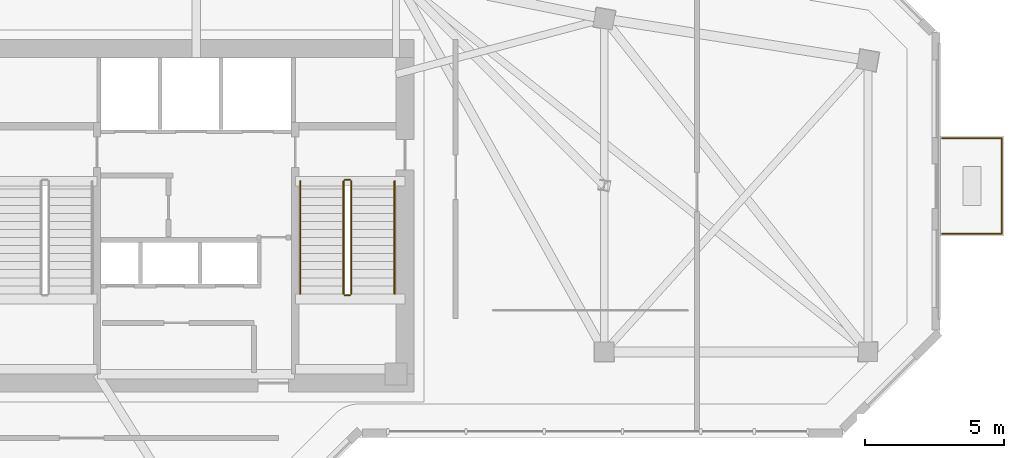
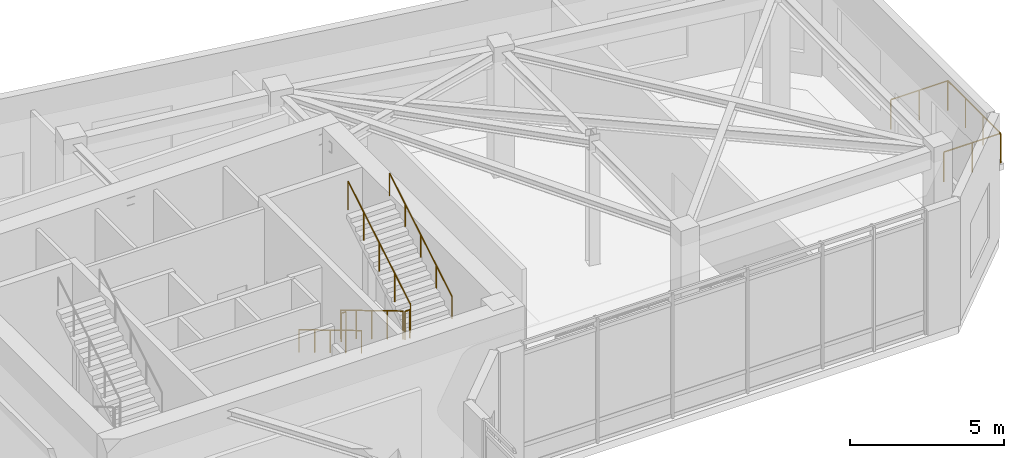
# One storey, part 10 of 10: 9 railings.
"""IFC4 building model written with IfcOpenShell, lengths in metres."""

from ifc_helpers import new_model, si_unit, direction, frame, origin, origin_2d, place, context, subcontext, project, spatial, circle, extrude, material, type_object, element, save


model = new_model("IFC4")

# Units and contexts
model_context = context("Model", 3, precision=1e-05, world=origin(), true_north=direction((0.0, 1.0)))
body_context = subcontext(model_context, "Body", "Model", "MODEL_VIEW")
ifc_project = project(units=[si_unit("LENGTHUNIT", "METRE"), si_unit("AREAUNIT", "SQUARE_METRE"), si_unit("VOLUMEUNIT", "CUBIC_METRE"), si_unit("PLANEANGLEUNIT", "RADIAN"), si_unit("MASSUNIT", "GRAM", prefix="KILO")], contexts=[model_context])

# Site, building, storey
site_placement = place(None, origin())
site = spatial("IfcSite", under=ifc_project, at=site_placement, CompositionType="ELEMENT")
building_placement = place(site_placement, origin())
building = spatial("IfcBuilding", under=site, at=building_placement, Name="Calvemar Wedge Station Tower", CompositionType="ELEMENT")
storey_placement = place(building_placement, frame((0.0, 0.0, 178.199951171875)))
storey = spatial("IfcBuildingStorey", under=building, at=storey_placement, Name="L44", CompositionType="ELEMENT", Elevation=178.199951171875)

# Railings
ifc_material_1 = material(Name="Stainless steel AISI 316L", Category="steel")
railing_type_1 = type_object("IfcRailingType", Name="GRD-TERR-1200", PredefinedType="GUARDRAIL", material=ifc_material_1)
railing_1_placement = place(storey_placement, frame((50.679931640625, 42.694091796875, 0.0)))
element("IfcRailing", 1, at=railing_1_placement, inside=storey, type_object=railing_type_1, Name="Storey L44 Spiral Terrace Guard 2", PredefinedType="GUARDRAIL", context=body_context, shape_type="SweptSolid", body=[
    extrude(circle(Radius=0.02392578125, at=origin_2d()), frame((0.0, 0.0, 1.17578125), z_axis=(1.0, 0.0, 0.0), x_axis=(0.0, 1.0, 0.0)), (0.0, 0.0, 1.0), 2.14013671875),
    extrude(circle(Radius=0.02099609375, at=origin_2d()), origin(), (0.0, 0.0, 1.0), 1.15185546875),
    extrude(circle(Radius=0.02099609375, at=origin_2d()), frame((1.070068359375, 0.0, 0.0)), (0.0, 0.0, 1.0), 1.15185546875),
    extrude(circle(Radius=0.02099609375, at=origin_2d()), frame((2.14013671875, 0.0, 0.0)), (0.0, 0.0, 1.0), 1.15185546875),
])
railing_2_placement = place(storey_placement, frame((52.820068359375, 42.694091796875, 0.0)))
element("IfcRailing", 2, at=railing_2_placement, inside=storey, type_object=railing_type_1, Name="Storey L44 Spiral Terrace Guard 3", PredefinedType="GUARDRAIL", context=body_context, shape_type="SweptSolid", body=[
    extrude(circle(Radius=0.02392578125, at=origin_2d()), frame((0.0, 0.0, 1.17578125), z_axis=(0.0, -1.0, 0.0), x_axis=(1.0, 0.0, 0.0)), (0.0, 0.0, 1.0), 3.440185546875),
    extrude(circle(Radius=0.02099609375, at=origin_2d()), origin(), (0.0, 0.0, 1.0), 1.15185546875),
    extrude(circle(Radius=0.02099609375, at=origin_2d()), frame((0.0, -1.146728515625, 0.0)), (0.0, 0.0, 1.0), 1.15185546875),
    extrude(circle(Radius=0.02099609375, at=origin_2d()), frame((0.0, -2.29345703125, 0.0)), (0.0, 0.0, 1.0), 1.15185546875),
    extrude(circle(Radius=0.02099609375, at=origin_2d()), frame((0.0, -3.440185546875, 0.0)), (0.0, 0.0, 1.0), 1.15185546875),
])
railing_3_placement = place(storey_placement, frame((52.820068359375, 39.25390625, 0.0)))
element("IfcRailing", 3, at=railing_3_placement, inside=storey, type_object=railing_type_1, Name="Storey L44 Spiral Terrace Guard 4", PredefinedType="GUARDRAIL", context=body_context, shape_type="SweptSolid", body=[
    extrude(circle(Radius=0.02392578125, at=origin_2d()), frame((0.0, 0.0, 1.17578125), z_axis=(-1.0, 0.0, 0.0), x_axis=(0.0, -1.0, 0.0)), (0.0, 0.0, 1.0), 2.14013671875),
    extrude(circle(Radius=0.02099609375, at=origin_2d()), origin(), (0.0, 0.0, 1.0), 1.15185546875),
    extrude(circle(Radius=0.02099609375, at=origin_2d()), frame((-1.070068359375, 0.0, 0.0)), (0.0, 0.0, 1.0), 1.15185546875),
    extrude(circle(Radius=0.02099609375, at=origin_2d()), frame((-2.14013671875, 0.0, 0.0)), (0.0, 0.0, 1.0), 1.15185546875),
])
railing_type_2 = type_object("IfcRailingType", Name="RL-HANDRAIL-920", PredefinedType="HANDRAIL", material=ifc_material_1)
railing_4_placement = place(storey_placement, frame((27.550048828125, 41.14990234375, 0.17333984375)))
element("IfcRailing", 4, at=railing_4_placement, inside=storey, type_object=railing_type_2, Name="L44 ST-C2 stair handrail 1", PredefinedType="HANDRAIL", context=body_context, shape_type="SweptSolid", body=[
    extrude(circle(Radius=0.02392578125, at=origin_2d()), frame((0.0, 0.0, 0.89599609375), z_axis=(0.0, -0.858343435637, 0.513075575815), x_axis=(1.0, 0.0, 0.0)), (0.0, 0.0, 1.0), 4.729736328125),
    extrude(circle(Radius=0.02099609375, at=origin_2d()), origin(), (0.0, 0.0, 1.0), 0.871826171875),
    extrude(circle(Radius=0.02099609375, at=origin_2d()), frame((0.0, -1.014892578125, 0.606689453125)), (0.0, 0.0, 1.0), 0.871826171875),
    extrude(circle(Radius=0.02099609375, at=origin_2d()), frame((0.0, -2.02978515625, 1.21337890625)), (0.0, 0.0, 1.0), 0.871826171875),
    extrude(circle(Radius=0.02099609375, at=origin_2d()), frame((0.0, -3.044921875, 1.820068359375)), (0.0, 0.0, 1.0), 0.871826171875),
    extrude(circle(Radius=0.02099609375, at=origin_2d()), frame((0.0, -4.059814453125, 2.4267578125)), (0.0, 0.0, 1.0), 0.871826171875),
])
railing_5_placement = place(storey_placement, frame((30.949951171875, 37.090087890625, 2.7734375)))
element("IfcRailing", 5, at=railing_5_placement, inside=storey, type_object=railing_type_2, Name="L44 ST-C2 stair handrail 2", PredefinedType="HANDRAIL", context=body_context, shape_type="SweptSolid", body=[
    extrude(circle(Radius=0.02392578125, at=origin_2d()), frame((0.0, 0.0, 0.89599609375), z_axis=(0.0, 0.858366167383, 0.513037545109), x_axis=(-1.0, 0.0, 0.0)), (0.0, 0.0, 1.0), 4.729736328125),
    extrude(circle(Radius=0.02099609375, at=origin_2d()), origin(), (0.0, 0.0, 1.0), 0.871826171875),
    extrude(circle(Radius=0.02099609375, at=origin_2d()), frame((0.0, 1.014892578125, 0.606689453125)), (0.0, 0.0, 1.0), 0.871826171875),
    extrude(circle(Radius=0.02099609375, at=origin_2d()), frame((0.0, 2.02978515625, 1.21337890625)), (0.0, 0.0, 1.0), 0.871826171875),
    extrude(circle(Radius=0.02099609375, at=origin_2d()), frame((0.0, 3.044921875, 1.81982421875)), (0.0, 0.0, 1.0), 0.871826171875),
    extrude(circle(Radius=0.02099609375, at=origin_2d()), frame((0.0, 4.059814453125, 2.426513671875)), (0.0, 0.0, 1.0), 0.871826171875),
])
ifc_material_2 = material(Name="Painted steel guardrail ASTM A500 Grade C", Category="steel")
railing_type_3 = type_object("IfcRailingType", Name="RL-STAIR-GUARD-1150", PredefinedType="GUARDRAIL", material=ifc_material_2)
railing_6_placement = place(storey_placement, frame((29.110107421875, 41.14990234375, 0.17333984375)))
element("IfcRailing", 6, at=railing_6_placement, inside=storey, type_object=railing_type_3, Name="L44 ST-C2 stair guard 1", PredefinedType="GUARDRAIL", context=body_context, shape_type="SweptSolid", body=[
    extrude(circle(Radius=0.02392578125, at=origin_2d()), frame((0.0, 0.0, 1.1259765625), z_axis=(0.0, -0.858343435637, 0.513075575815), x_axis=(1.0, 0.0, 0.0)), (0.0, 0.0, 1.0), 4.729736328125),
    extrude(circle(Radius=0.02099609375, at=origin_2d()), origin(), (0.0, 0.0, 1.0), 1.101806640625),
    extrude(circle(Radius=0.02099609375, at=origin_2d()), frame((0.0, -1.014892578125, 0.606689453125)), (0.0, 0.0, 1.0), 1.101806640625),
    extrude(circle(Radius=0.02099609375, at=origin_2d()), frame((0.0, -2.02978515625, 1.21337890625)), (0.0, 0.0, 1.0), 1.101806640625),
    extrude(circle(Radius=0.02099609375, at=origin_2d()), frame((0.0, -3.044921875, 1.820068359375)), (0.0, 0.0, 1.0), 1.101806640625),
    extrude(circle(Radius=0.02099609375, at=origin_2d()), frame((0.0, -4.059814453125, 2.4267578125)), (0.0, 0.0, 1.0), 1.101806640625),
])
railing_7_placement = place(storey_placement, frame((29.159912109375, 37.0400390625, 2.60009765625)))
element("IfcRailing", 7, at=railing_7_placement, inside=storey, type_object=railing_type_3, Name="L44 ST-C2 stair guard 2", PredefinedType="GUARDRAIL", context=body_context, shape_type="SweptSolid", body=[
    extrude(circle(Radius=0.02392578125, at=origin_2d()), frame((0.0, 0.0, 1.1259765625), z_axis=(1.0, 0.0, 0.0), x_axis=(0.0, 1.0, 0.0)), (0.0, 0.0, 1.0), 0.18017578125),
    extrude(circle(Radius=0.02099609375, at=origin_2d()), origin(), (0.0, 0.0, 1.0), 1.101806640625),
    extrude(circle(Radius=0.02099609375, at=origin_2d()), frame((0.18017578125, 0.0, 0.0)), (0.0, 0.0, 1.0), 1.101806640625),
])
railing_8_placement = place(storey_placement, frame((29.389892578125, 37.090087890625, 2.7734375)))
element("IfcRailing", 8, at=railing_8_placement, inside=storey, type_object=railing_type_3, Name="L44 ST-C2 stair guard 3", PredefinedType="GUARDRAIL", context=body_context, shape_type="SweptSolid", body=[
    extrude(circle(Radius=0.02392578125, at=origin_2d()), frame((0.0, 0.0, 1.1259765625), z_axis=(0.0, 0.858366167383, 0.513037545109), x_axis=(-1.0, 0.0, 0.0)), (0.0, 0.0, 1.0), 4.729736328125),
    extrude(circle(Radius=0.02099609375, at=origin_2d()), origin(), (0.0, 0.0, 1.0), 1.101806640625),
    extrude(circle(Radius=0.02099609375, at=origin_2d()), frame((0.0, 1.014892578125, 0.606689453125)), (0.0, 0.0, 1.0), 1.101806640625),
    extrude(circle(Radius=0.02099609375, at=origin_2d()), frame((0.0, 2.02978515625, 1.21337890625)), (0.0, 0.0, 1.0), 1.101806640625),
    extrude(circle(Radius=0.02099609375, at=origin_2d()), frame((0.0, 3.044921875, 1.81982421875)), (0.0, 0.0, 1.0), 1.101806640625),
    extrude(circle(Radius=0.02099609375, at=origin_2d()), frame((0.0, 4.059814453125, 2.426513671875)), (0.0, 0.0, 1.0), 1.101806640625),
])
railing_9_placement = place(storey_placement, frame((29.159912109375, 41.199951171875, 0.0)))
element("IfcRailing", 9, at=railing_9_placement, inside=storey, type_object=railing_type_3, Name="L44 ST-C2 stair guard 4", PredefinedType="GUARDRAIL", context=body_context, shape_type="SweptSolid", body=[
    extrude(circle(Radius=0.02392578125, at=origin_2d()), frame((0.0, 0.0, 1.1259765625), z_axis=(1.0, 0.0, 0.0), x_axis=(0.0, 1.0, 0.0)), (0.0, 0.0, 1.0), 0.18017578125),
    extrude(circle(Radius=0.02099609375, at=origin_2d()), origin(), (0.0, 0.0, 1.0), 1.101806640625),
    extrude(circle(Radius=0.02099609375, at=origin_2d()), frame((0.18017578125, 0.0, 0.0)), (0.0, 0.0, 1.0), 1.101806640625),
])

save(model, "model.ifc")
